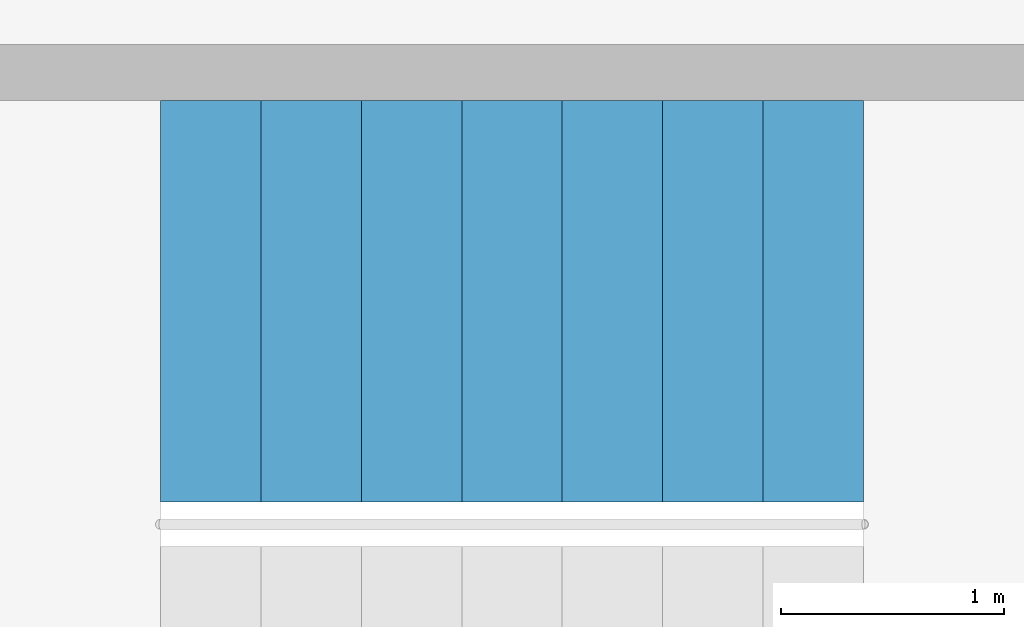
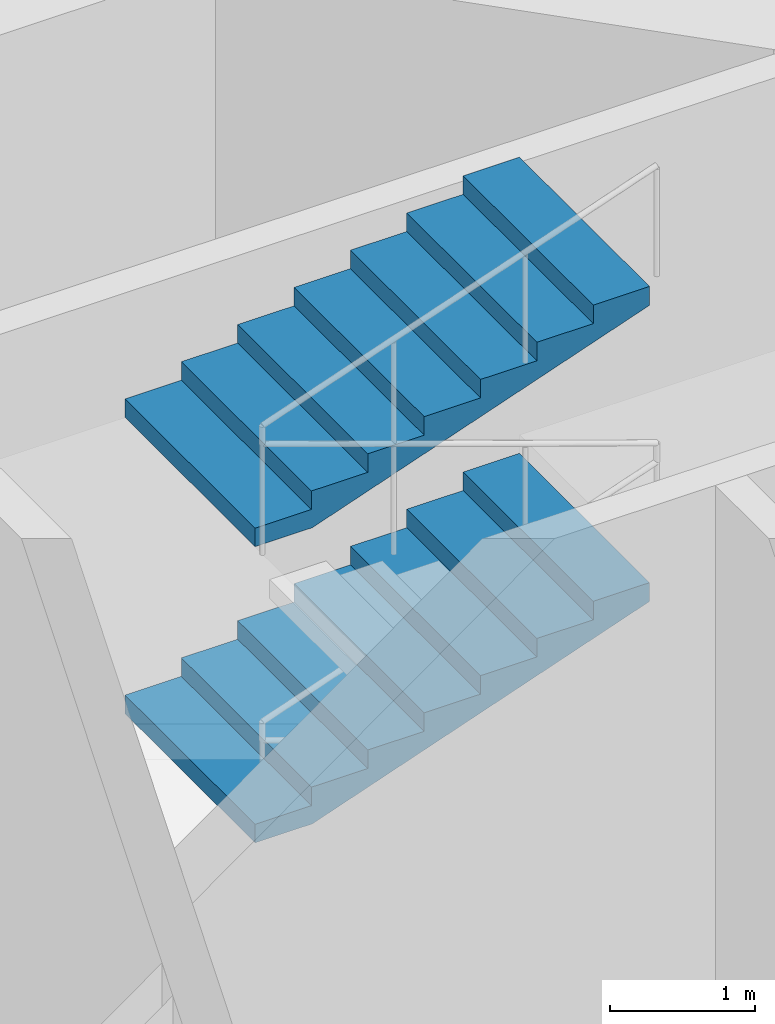
# One storey, part 11 of 12: 2 stair flights, 1 element without a shape of its own.
"""IFC4 building model written with IfcOpenShell, lengths in metres."""

from ifc_helpers import new_model, si_unit, direction, frame, origin, place, context, subcontext, project, spatial, polyline, outline, extrude, material, type_object, element, aggregate, save


model = new_model("IFC4")

# Units and contexts
model_context = context("Model", 3, precision=1e-05, world=origin(), true_north=direction((0.0, 1.0)))
body_context = subcontext(model_context, "Body", "Model", "MODEL_VIEW")
ifc_project = project(units=[si_unit("LENGTHUNIT", "METRE"), si_unit("AREAUNIT", "SQUARE_METRE"), si_unit("VOLUMEUNIT", "CUBIC_METRE"), si_unit("PLANEANGLEUNIT", "RADIAN"), si_unit("MASSUNIT", "GRAM", prefix="KILO")], contexts=[model_context])

# Site, building, storey
site_placement = place(None, origin())
site = spatial("IfcSite", under=ifc_project, at=site_placement, CompositionType="ELEMENT")
building_placement = place(site_placement, origin())
building = spatial("IfcBuilding", under=site, at=building_placement, Name="Marenthal Gate Tower", CompositionType="ELEMENT")
storey_placement = place(building_placement, frame((0.0, 0.0, 413.550048828125)))
storey = spatial("IfcBuildingStorey", under=building, at=storey_placement, Name="L93", CompositionType="ELEMENT", Elevation=413.550048828125)

# Stair, stair flights
ifc_material_1 = material(Name="Concrete 40 MPa", Category="concrete")
stair_type = type_object("IfcStairType", Name="Exit stair 1800", PredefinedType="HALF_TURN_STAIR", material=ifc_material_1)
stair_placement = place(storey_placement, origin())
stair = element("IfcStair", 1, at=stair_placement, inside=storey, type_object=stair_type, Name="Stair ST3", PredefinedType="HALF_TURN_STAIR")
ifc_material_2 = material(Name="Concrete 40 MPa", Category="concrete")
stair_flight_type = type_object("IfcStairFlightType", Name="Stair flight 1800", PredefinedType="STRAIGHT", material=ifc_material_2)
stair_flight_1_placement = place(storey_placement, frame((10.35009765625, 8.675048828125, 1.25), z_axis=(0.0, 0.0, 1.0), x_axis=(1.0, 0.0, 0.0)))
stair_flight_1 = element("IfcStairFlight", 2, at=stair_flight_1_placement, type_object=stair_flight_type, Name="ST3 flight 2", NumberOfRisers=8, NumberOfTreads=7, PredefinedType="STRAIGHT", RiserHeight=0.15625, TreadLength=0.45, context=body_context, shape_type="SweptSolid", body=[
    extrude(outline(polyline([(0.0, 0.0), (0.0, 0.15625), (0.449951171875, 0.15625), (0.449951171875, 0.3125), (0.89990234375, 0.3125), (0.89990234375, 0.46875), (1.35009765625, 0.46875), (1.35009765625, 0.625), (1.800048828125, 0.625), (1.800048828125, 0.78125), (2.25, 0.78125), (2.25, 0.9375), (2.699951171875, 0.9375), (2.699951171875, 1.09375), (3.14990234375, 1.09375), (3.14990234375, 1.25), (3.14990234375, 0.93505859375), (0.45703125, 0.0), (0.0, 0.0)])), frame((0.0, 0.89990234375, 0.0), z_axis=(0.0, -1.0, 0.0), x_axis=(1.0, 0.0, 0.0)), (0.0, 0.0, 1.0), 1.800048828125),
])
stair_flight_2_placement = place(storey_placement, frame((10.35009765625, 8.675048828125, 3.75), z_axis=(0.0, 0.0, 1.0), x_axis=(1.0, 0.0, 0.0)))
stair_flight_2 = element("IfcStairFlight", 3, at=stair_flight_2_placement, type_object=stair_flight_type, Name="ST3 flight 4", NumberOfRisers=8, NumberOfTreads=7, PredefinedType="STRAIGHT", RiserHeight=0.15625, TreadLength=0.45, context=body_context, shape_type="SweptSolid", body=[
    extrude(outline(polyline([(0.0, 0.0), (0.0, 0.15625), (0.449951171875, 0.15625), (0.449951171875, 0.3125), (0.89990234375, 0.3125), (0.89990234375, 0.46875), (1.35009765625, 0.46875), (1.35009765625, 0.625), (1.800048828125, 0.625), (1.800048828125, 0.78125), (2.25, 0.78125), (2.25, 0.9375), (2.699951171875, 0.9375), (2.699951171875, 1.09375), (3.14990234375, 1.09375), (3.14990234375, 1.25), (3.14990234375, 0.93505859375), (0.45703125, 0.0), (0.0, 0.0)])), frame((0.0, 0.89990234375, 0.0), z_axis=(0.0, -1.0, 0.0), x_axis=(1.0, 0.0, 0.0)), (0.0, 0.0, 1.0), 1.800048828125),
])
aggregate(stair, [stair_flight_1, stair_flight_2])

save(model, "model.ifc")
